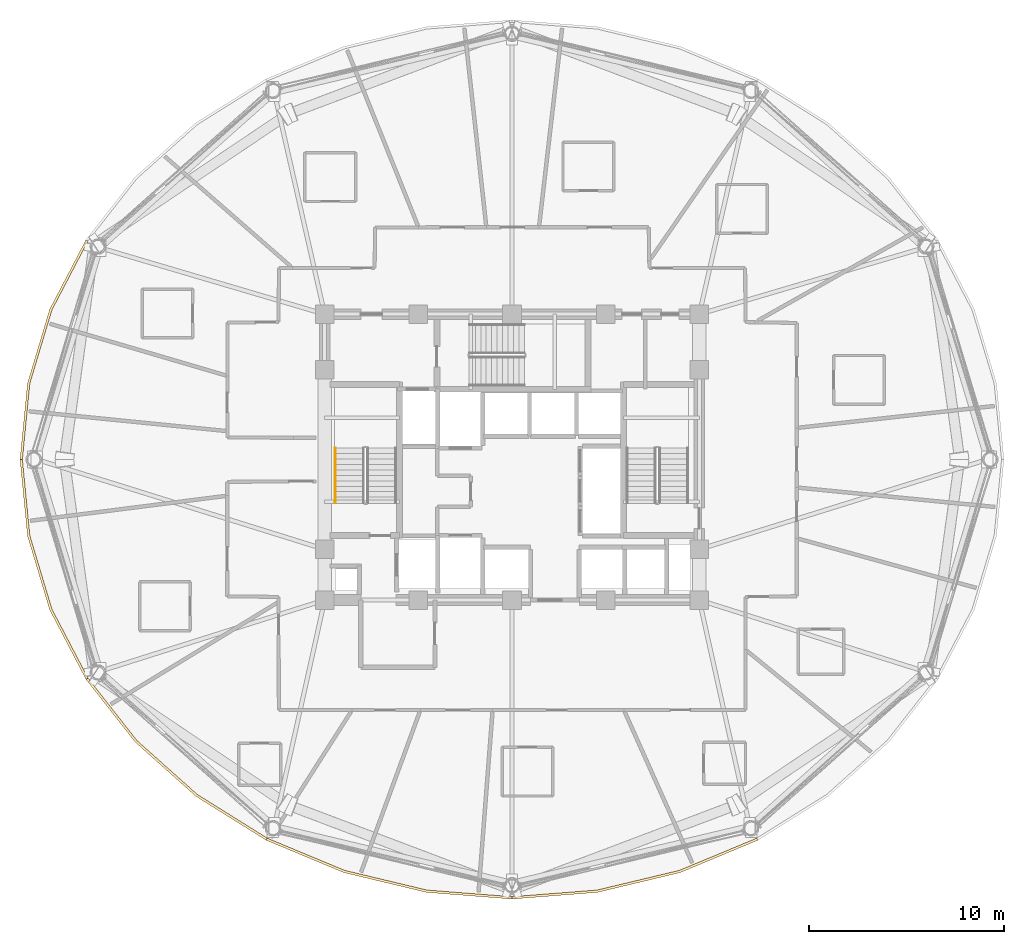
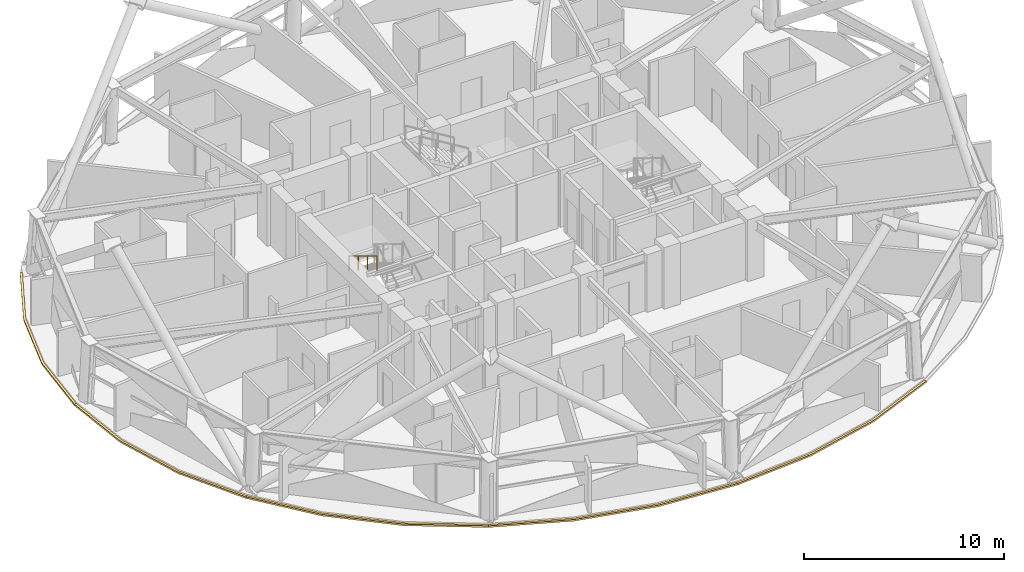
# One storey, part 11 of 13: 5 coverings, 1 railing.
"""IFC4 building model written with IfcOpenShell, lengths in metres."""

import ifcopenshell
import ifcopenshell.guid

model = None  # the IFC model being written
_history = None  # IfcOwnerHistory: only IFC2X3 demands one
_inside = {}  # id of a spatial element -> (the spatial element, [elements in it])
_under = {}  # id of a project, library or spatial element -> (it, [spatial elements below it])
_declared = {}  # id of a project -> (the project, [libraries it declares])
_typed = {}  # id of a type object -> (the type object, [elements of that type])
_made_of = {}  # id of a material, layer set ... -> (it, [elements and type objects made of it])


def new_model(schema):
    """Start an empty IFC model of exactly this schema.

    Asked for "IFC4X3", IfcOpenShell would pick the latest addendum, in which some entities
    have other attributes; the version numbers below select the first issue.
    IFC2X3 requires an IfcOwnerHistory on every rooted entity: one is made here for all.
    """
    global model, _history
    if schema == "IFC4X3":
        model = ifcopenshell.file(schema_version=(4, 3, 0, 0))
    else:
        model = ifcopenshell.file(schema=schema)
    _inside.clear()
    _under.clear()
    _declared.clear()
    _typed.clear()
    _made_of.clear()
    _history = None
    if model.schema == "IFC2X3":
        org = make("IfcOrganization", Name="unknown")
        user = make(
            "IfcPersonAndOrganization",
            ThePerson=make("IfcPerson", FamilyName="unknown"),
            TheOrganization=org,
        )
        app = make(
            "IfcApplication",
            ApplicationDeveloper=org,
            Version="unknown",
            ApplicationFullName="unknown",
            ApplicationIdentifier="unknown",
        )
        _history = make(
            "IfcOwnerHistory",
            OwningUser=user,
            OwningApplication=app,
            ChangeAction="ADDED",
            CreationDate=0,
        )
    return model


def make(cls, **values):
    """One entity of the class cls with the attributes given. An attribute that is None is left unset."""
    return model.create_entity(
        cls, **{name: value for name, value in values.items() if value is not None}
    )


def rooted(cls, **values):
    """An entity with a GlobalId (a new one), such as an element, a storey or a relation."""
    return make(cls, GlobalId=ifcopenshell.guid.new(), OwnerHistory=_history, **values)


def si_unit(unit_type, name, prefix=None):
    """IfcSIUnit, for example si_unit("LENGTHUNIT", "METRE", prefix="MILLI")."""
    return make("IfcSIUnit", UnitType=unit_type, Prefix=prefix, Name=name)


def assignment(units):
    """IfcUnitAssignment: the units of a project."""
    return None if units is None else make("IfcUnitAssignment", Units=units)


def point(xyz):
    """IfcCartesianPoint."""
    return None if xyz is None else make("IfcCartesianPoint", Coordinates=xyz)


def direction(xyz):
    """IfcDirection."""
    return None if xyz is None else make("IfcDirection", DirectionRatios=xyz)


def frame(location, z_axis=None, x_axis=None):
    """IfcAxis2Placement3D, a coordinate frame: its origin and axes. An axis left out is left unset."""
    return make(
        "IfcAxis2Placement3D",
        Location=point(location),
        Axis=direction(z_axis),
        RefDirection=direction(x_axis),
    )


def frame_2d(location, x_axis=None):
    """IfcAxis2Placement2D, a coordinate frame in the plane: its origin and x axis."""
    return make(
        "IfcAxis2Placement2D", Location=point(location), RefDirection=direction(x_axis)
    )


def origin():
    """The frame at (0, 0, 0) with its axes left unset."""
    return frame((0.0, 0.0, 0.0))


def origin_2d():
    """The frame at (0, 0) in the plane with its x axis left unset."""
    return frame_2d((0.0, 0.0))


def place(relative_to, where):
    """IfcLocalPlacement: puts the frame where relative to a parent placement (None: the world)."""
    return make(
        "IfcLocalPlacement", PlacementRelTo=relative_to, RelativePlacement=where
    )


def context(
    kind, dimensions, precision=None, world=None, true_north=None, identifier=None
):
    """IfcGeometricRepresentationContext, for example the 3D "Model" context."""
    return make(
        "IfcGeometricRepresentationContext",
        ContextIdentifier=identifier,
        ContextType=kind,
        CoordinateSpaceDimension=dimensions,
        Precision=precision,
        WorldCoordinateSystem=world,
        TrueNorth=true_north,
    )


def subcontext(parent, identifier, kind, view, scale=None):
    """IfcGeometricRepresentationSubContext, for example "Body" below "Model"."""
    return make(
        "IfcGeometricRepresentationSubContext",
        ContextIdentifier=identifier,
        ContextType=kind,
        ParentContext=parent,
        TargetScale=scale,
        TargetView=view,
    )


def project(units=None, contexts=None):
    """IfcProject with its units and contexts."""
    return rooted(
        "IfcProject",
        Name="project",
        RepresentationContexts=contexts,
        UnitsInContext=assignment(units),
    )


def spatial(cls, under=None, at=None, **own):
    """A site, building, storey or space (cls), placed at a placement, below another one or the project."""
    s = rooted(cls, ObjectPlacement=at, **own)
    if under is not None:
        _under.setdefault(under.id(), (under, []))[1].append(s)
    return s


def polyline(points):
    """IfcPolyline through the points."""
    return make("IfcPolyline", Points=[point(p) for p in points])


def profile(cls, at=None, kind="AREA", **sizes):
    """A parametric profile (cls). Its sizes go by their IFC names, for example OverallWidth=200.0."""
    return make(cls, ProfileType=kind, Position=at, **sizes)


def rectangle(**sizes):
    """IfcRectangleProfileDef."""
    return profile("IfcRectangleProfileDef", **sizes)


def outline(outer, holes=None, kind="AREA"):
    """IfcArbitraryClosedProfileDef: a profile drawn as a closed curve; with holes, ...WithVoids."""
    if holes is None:
        return make("IfcArbitraryClosedProfileDef", ProfileType=kind, OuterCurve=outer)
    return make(
        "IfcArbitraryProfileDefWithVoids",
        ProfileType=kind,
        OuterCurve=outer,
        InnerCurves=holes,
    )


def extrude(swept, where, along, depth):
    """IfcExtrudedAreaSolid: the profile swept, set in the frame where, extruded along a direction by depth."""
    return make(
        "IfcExtrudedAreaSolid",
        SweptArea=swept,
        Position=where,
        ExtrudedDirection=direction(along),
        Depth=depth,
    )


def shape(context_of_items, identifier, shape_type, items):
    """IfcShapeRepresentation: the items that make up one representation, for example the "Body"."""
    return make(
        "IfcShapeRepresentation",
        ContextOfItems=context_of_items,
        RepresentationIdentifier=identifier,
        RepresentationType=shape_type,
        Items=items,
    )


def material(Name=None, Category=None):
    """IfcMaterial."""
    return make("IfcMaterial", Name=Name, Category=Category)


def layer(
    of_material, thickness, ventilated=None, Name=None, Category=None, Priority=None
):
    """IfcMaterialLayer: one layer of a wall or slab, of a material (None: an air gap)."""
    return make(
        "IfcMaterialLayer",
        Material=of_material,
        LayerThickness=thickness,
        IsVentilated=ventilated,
        Name=Name,
        Category=Category,
        Priority=Priority,
    )


def layer_set(layers, Name=None):
    """IfcMaterialLayerSet."""
    return make("IfcMaterialLayerSet", MaterialLayers=layers, LayerSetName=Name)


def made_of(thing, what):
    """Note that an element or type object is made of a material, layer set ...; save() writes the relation."""
    if what is not None:
        _made_of.setdefault(what.id(), (what, []))[1].append(thing)
    return thing


def type_object(cls, material=None, **own):
    """A type object (cls), such as IfcWallType, which elements share."""
    return made_of(rooted(cls, **own), material)


def element(
    cls,
    number,
    at=None,
    inside=None,
    cuts=None,
    type_object=None,
    material=None,
    context=None,
    identifier="Body",
    shape_type=None,
    held_by="IfcProductDefinitionShape",
    body=None,
    shapes=None,
    **own,
):
    """One element of the class cls, such as IfcWall. Its Tag is "e" and its number.

    at: its placement. inside: the storey or other place that contains it. cuts: it is an
    opening in that element (IfcRelVoidsElement). A single representation is given by context,
    identifier, shape_type and body (its items); several are given by shapes. held_by: the class
    of the entity that holds the representations. save() writes the other relations.
    """
    e = rooted(cls, Tag="e%d" % number, ObjectPlacement=at, **own)
    if body is not None:
        shapes = [shape(context, identifier, shape_type, body)]
    if shapes is not None:
        e.Representation = make(held_by, Representations=shapes)
    if inside is not None:
        _inside.setdefault(inside.id(), (inside, []))[1].append(e)
    if cuts is not None:
        rooted(
            "IfcRelVoidsElement", RelatingBuildingElement=cuts, RelatedOpeningElement=e
        )
    if type_object is not None:
        _typed.setdefault(type_object.id(), (type_object, []))[1].append(e)
    return made_of(e, material)


def aggregate(whole, parts):
    """IfcRelAggregates: a whole, such as a stair, and the parts it consists of."""
    return rooted("IfcRelAggregates", RelatingObject=whole, RelatedObjects=parts)


def save(model, path):
    """Write the relations noted so far, then the file.

    IfcRelAggregates (storeys below a building ...), IfcRelContainedInSpatialStructure (elements
    in a storey), IfcRelDefinesByType, IfcRelAssociatesMaterial and IfcRelDeclares: one each for
    every whole, place, type object, material and project.
    """
    for whole, parts in _under.values():
        aggregate(whole, parts)
    for where, things in _inside.values():
        rooted(
            "IfcRelContainedInSpatialStructure",
            RelatedElements=things,
            RelatingStructure=where,
        )
    for kind, things in _typed.values():
        rooted("IfcRelDefinesByType", RelatedObjects=things, RelatingType=kind)
    for what, things in _made_of.values():
        rooted("IfcRelAssociatesMaterial", RelatedObjects=things, RelatingMaterial=what)
    for by, libraries in _declared.values():
        rooted("IfcRelDeclares", RelatingContext=by, RelatedDefinitions=libraries)
    model.write(path)


model = new_model("IFC4")

# Units and contexts
model_context = context("Model", 3, precision=1e-05, world=origin(), true_north=direction((0.0, 1.0)))
body_context = subcontext(model_context, "Body", "Model", "MODEL_VIEW")
ifc_project = project(units=[si_unit("LENGTHUNIT", "METRE"), si_unit("AREAUNIT", "SQUARE_METRE"), si_unit("VOLUMEUNIT", "CUBIC_METRE"), si_unit("PLANEANGLEUNIT", "RADIAN"), si_unit("MASSUNIT", "GRAM", prefix="KILO")], contexts=[model_context])

# Site, building, storey
site_placement = place(None, origin())
site = spatial("IfcSite", under=ifc_project, at=site_placement, CompositionType="ELEMENT")
building_placement = place(site_placement, origin())
building = spatial("IfcBuilding", under=site, at=building_placement, Name="Vantalir Tower", CompositionType="ELEMENT")
storey_placement = place(building_placement, frame((0.0, 0.0, 172.199951171875)))
storey = spatial("IfcBuildingStorey", under=building, at=storey_placement, Name="L43", CompositionType="ELEMENT", Elevation=172.199951171875)

# Coverings
ifc_material_1 = material(Name="Anodised champagne aluminium sill fascia", Category="aluminium")
ifc_layer = layer(ifc_material_1, 0.125)
ifc_layer_set = layer_set([ifc_layer], Name="Anodised champagne aluminium sill fascia")
covering_type = type_object("IfcCoveringType", Name="COV-SLAB-FASCIA-125", PredefinedType="CLADDING", material=ifc_layer_set)
covering_1_placement = place(storey_placement, frame((0.0, 0.0, -0.179931640625)))
element("IfcCovering", 1, at=covering_1_placement, inside=storey, type_object=covering_type, Name="L43 Perimeter Slab-Edge Sill Fascia 06", PredefinedType="CLADDING", context=body_context, shape_type="SweptSolid", body=[
    extrude(outline(polyline([(9.6669921875, 36.260986328125), (7.80908203125, 32.702880859375), (6.672119140625, 28.910888671875), (6.2890625, 25.0), (6.4140625, 25.0), (6.794921875, 28.888916015625), (7.927001953125, 32.660888671875), (9.77490234375, 36.198974609375), (9.6669921875, 36.260986328125)])), origin(), (0.0, 0.0, 1.0), 0.10498046875),
])
covering_2_placement = place(storey_placement, frame((0.0, 0.0, -0.179931640625)))
element("IfcCovering", 2, at=covering_2_placement, inside=storey, type_object=covering_type, Name="L43 Perimeter Slab-Edge Sill Fascia 07", PredefinedType="CLADDING", context=body_context, shape_type="SweptSolid", body=[
    extrude(outline(polyline([(6.2890625, 25.0), (6.672119140625, 21.089111328125), (7.80908203125, 17.297119140625), (9.6669921875, 13.738037109375), (9.77490234375, 13.801025390625), (7.927001953125, 17.339111328125), (6.794921875, 21.111083984375), (6.4140625, 25.0), (6.2890625, 25.0)])), origin(), (0.0, 0.0, 1.0), 0.10498046875),
])
covering_3_placement = place(storey_placement, frame((0.0, 0.0, -0.179931640625)))
element("IfcCovering", 3, at=covering_3_placement, inside=storey, type_object=covering_type, Name="L43 Perimeter Slab-Edge Sill Fascia 08", PredefinedType="CLADDING", context=body_context, shape_type="SweptSolid", body=[
    extrude(outline(polyline([(9.6669921875, 13.738037109375), (12.18701171875, 10.52197265625), (15.294921875, 7.74609375), (18.89404296875, 5.4951171875), (18.95703125, 5.60302734375), (15.375, 7.842041015625), (12.282958984375, 10.60302734375), (9.77490234375, 13.801025390625), (9.6669921875, 13.738037109375)])), origin(), (0.0, 0.0, 1.0), 0.10498046875),
])
covering_4_placement = place(storey_placement, frame((0.0, 0.0, -0.179931640625)))
element("IfcCovering", 4, at=covering_4_placement, inside=storey, type_object=covering_type, Name="L43 Perimeter Slab-Edge Sill Fascia 09", PredefinedType="CLADDING", context=body_context, shape_type="SweptSolid", body=[
    extrude(outline(polyline([(18.89404296875, 5.4951171875), (22.876953125, 3.8349609375), (27.1220703125, 2.819091796875), (31.5, 2.47705078125), (31.5, 2.60205078125), (27.14404296875, 2.94189453125), (22.919921875, 3.952880859375), (18.95703125, 5.60302734375), (18.89404296875, 5.4951171875)])), origin(), (0.0, 0.0, 1.0), 0.10498046875),
])
covering_5_placement = place(storey_placement, frame((0.0, 0.0, -0.179931640625)))
element("IfcCovering", 5, at=covering_5_placement, inside=storey, type_object=covering_type, Name="L43 Perimeter Slab-Edge Sill Fascia 10", PredefinedType="CLADDING", context=body_context, shape_type="SweptSolid", body=[
    extrude(outline(polyline([(31.5, 2.47705078125), (35.8779296875, 2.819091796875), (40.123046875, 3.8349609375), (44.10595703125, 5.4951171875), (44.04296875, 5.60302734375), (40.080078125, 3.952880859375), (35.85595703125, 2.94189453125), (31.5, 2.60205078125), (31.5, 2.47705078125)])), origin(), (0.0, 0.0, 1.0), 0.10498046875),
])

# Railing
ifc_material_2 = material(Name="Brushed stainless steel tubular handrail", Category="steel")
railing_type = type_object("IfcRailingType", Name="RAL-HANDRAIL-900", PredefinedType="HANDRAIL", material=ifc_material_2)
railing_placement = place(storey_placement, frame((22.449951171875, 25.590087890625, 2.04541015625)))
element("IfcRailing", 6, at=railing_placement, inside=storey, type_object=railing_type, Name="L43 ST1 stair handrail 2", PredefinedType="HANDRAIL", context=body_context, shape_type="SweptSolid", body=[
    extrude(rectangle(XDim=0.048095703125, YDim=0.048095703125, at=origin_2d()), frame((0.0, 0.0, 0.8759765625), z_axis=(0.0, -0.854169791009, 0.51999420009), x_axis=(1.0, 0.0, 0.0)), (0.0, 0.0, 1.0), 3.278076171875),
    extrude(rectangle(XDim=0.0419921875, YDim=0.0419921875, at=origin_2d()), origin(), (0.0, 0.0, 1.0), 0.851806640625),
    extrude(rectangle(XDim=0.0419921875, YDim=0.0419921875, at=origin_2d()), frame((0.0, -0.933349609375, 0.568115234375)), (0.0, 0.0, 1.0), 0.851806640625),
    extrude(rectangle(XDim=0.0419921875, YDim=0.0419921875, at=origin_2d()), frame((0.0, -1.86669921875, 1.136474609375)), (0.0, 0.0, 1.0), 0.851806640625),
    extrude(rectangle(XDim=0.0419921875, YDim=0.0419921875, at=origin_2d()), frame((0.0, -2.800048828125, 1.70458984375)), (0.0, 0.0, 1.0), 0.851806640625),
])

save(model, "model.ifc")
